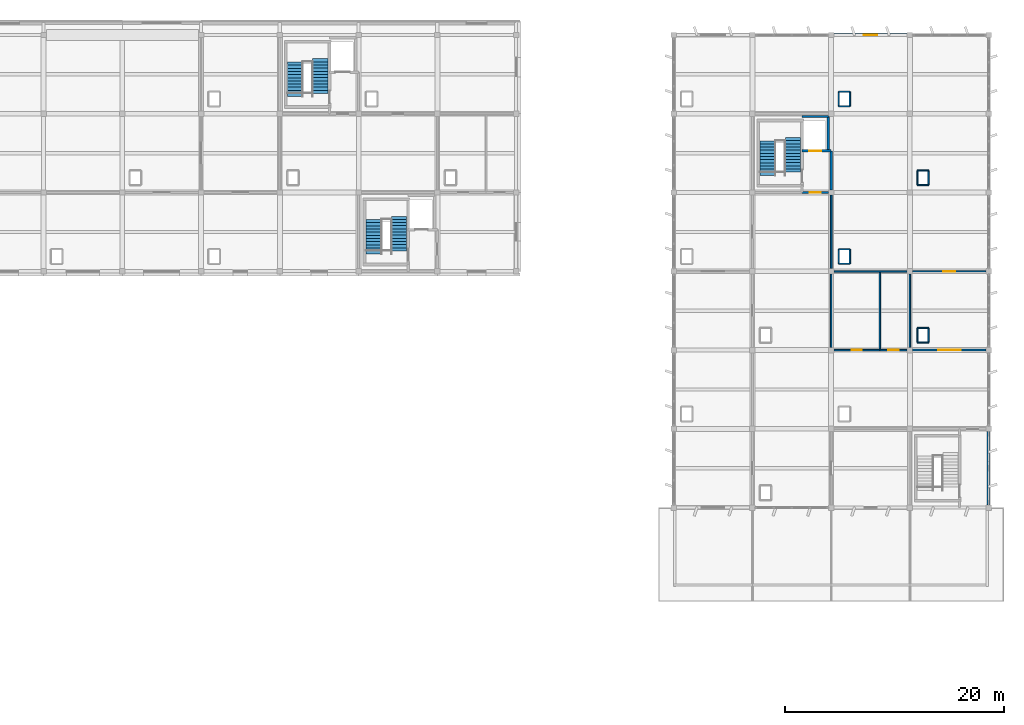
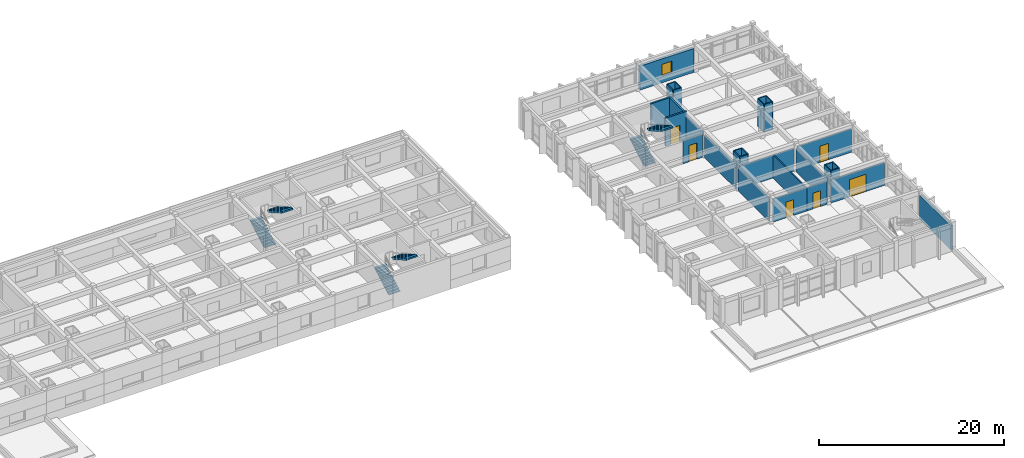
# One storey, part 36 of 40: 32 walls, 6 doors, 6 stair flights, 1 window, 7 openings, 3 elements without a shape of their own.
"""IFC4 building model written with IfcOpenShell, lengths in metres."""

from ifc_helpers import new_model, si_unit, direction, frame, frame_2d, origin, place, context, subcontext, project, spatial, polyline, rectangle, outline, extrude, material, layer, layer_set, type_object, element, fill, aggregate, save


model = new_model("IFC4")

# Units and contexts
model_context = context("Model", 3, precision=1e-05, world=origin(), true_north=direction((0.0, 1.0)))
body_context = subcontext(model_context, "Body", "Model", "MODEL_VIEW")
ifc_project = project(units=[si_unit("LENGTHUNIT", "METRE"), si_unit("AREAUNIT", "SQUARE_METRE"), si_unit("VOLUMEUNIT", "CUBIC_METRE"), si_unit("PLANEANGLEUNIT", "RADIAN"), si_unit("MASSUNIT", "GRAM", prefix="KILO")], contexts=[model_context])

# Site, building, storey
site_placement = place(None, origin())
site = spatial("IfcSite", under=ifc_project, at=site_placement, CompositionType="ELEMENT")
building_placement = place(site_placement, origin())
building = spatial("IfcBuilding", under=site, at=building_placement, Name="Kavelor Marine Aquarium", CompositionType="ELEMENT")
storey_placement = place(building_placement, frame((0.0, 0.0, 17.639892578125)))
storey = spatial("IfcBuildingStorey", under=building, at=storey_placement, Name="L04", CompositionType="ELEMENT", Elevation=17.639892578125)

# Wall, opening, window
ifc_material_1 = material(Name="Concrete C45/55", Category="concrete")
ifc_layer_1 = layer(ifc_material_1, 0.320068359375)
ifc_layer_set_1 = layer_set([ifc_layer_1], Name="WL-EX2")
wall_type_1 = type_object("IfcWallType", Name="WL-EX2", PredefinedType="STANDARD", material=ifc_layer_set_1)
wall_1_placement = place(storey_placement, frame((133.044921875, 110.800048828125, 0.0), z_axis=(0.0, 0.0, 1.0), x_axis=(1.0, 0.0, 0.0)))
wall_1 = element("IfcWall", 1, at=wall_1_placement, inside=storey, type_object=wall_type_1, Name="ew:x:L04:18_15", PredefinedType="STANDARD", context=body_context, shape_type="SweptSolid", body=[
    extrude(rectangle(XDim=6.7099609375, YDim=0.320068359375, at=frame_2d((3.35498046875, 0.0))), origin(), (0.0, 0.0, 1.0), 3.16015625),
])
opening_1_placement = place(wall_1_placement, frame((2.7548828125, 0.0, 0.949951171875)))
opening_1 = element("IfcOpeningElement", 2, at=opening_1_placement, cuts=wall_1, Name="Opening W02", PredefinedType="OPENING", context=body_context, shape_type="SweptSolid", body=[
    extrude(rectangle(XDim=1.199951171875, YDim=1.5, at=frame_2d((0.60009765625, 0.75))), frame((0.0, 0.169921875, 0.0), z_axis=(0.0, -1.0, 0.0), x_axis=(1.0, 0.0, 0.0)), (0.0, 0.0, 1.0), 0.340068),
])
ifc_material_2 = material(Name="Anodised Aluminium Frame with Low-E Double Glazing", Category="aluminium")
window_type = type_object("IfcWindowType", Name="WIN-W02", PartitioningType="SINGLE_PANEL", PredefinedType="WINDOW", material=ifc_material_2)
window_placement = place(opening_1_placement, origin())
window = element("IfcWindow", 3, at=window_placement, inside=storey, type_object=window_type, Name="win:x:L04:18_15", OverallHeight=1.5, OverallWidth=1.199951171875, PartitioningType="SINGLE_PANEL", PredefinedType="WINDOW", context=body_context, shape_type="SweptSolid", body=[
    extrude(rectangle(XDim=1.199951171875, YDim=1.5, at=frame_2d((0.60009765625, 0.75))), frame((0.0, 0.030029296875, 0.0), z_axis=(0.0, -1.0, 0.0), x_axis=(1.0, 0.0, 0.0)), (0.0, 0.0, 1.0), 0.06005859375),
])
fill(opening_1, window)

# Walls
ifc_material_3 = material(Name="Concrete C40/50", Category="concrete")
ifc_layer_2 = layer(ifc_material_3, 0.280029296875)
ifc_layer_set_2 = layer_set([ifc_layer_2], Name="WL-EX4")
wall_type_2 = type_object("IfcWallType", Name="WL-EX4", PredefinedType="STANDARD", material=ifc_layer_set_2)
wall_2_placement = place(storey_placement, frame((147.199951171875, 74.554931640625, 0.0), z_axis=(0.0, 0.0, 1.0), x_axis=(0.0, -1.0, 0.0)))
element("IfcWall", 4, at=wall_2_placement, inside=storey, type_object=wall_type_2, Name="ew:y:L04:20_09", PredefinedType="STANDARD", context=body_context, shape_type="SweptSolid", body=[
    extrude(rectangle(XDim=6.7099609375, YDim=0.280029296875, at=frame_2d((3.35498046875, 0.0))), origin(), (0.0, 0.0, 1.0), 3.14013671875),
])
ifc_material_4 = material(Name="Concrete Blockwork Partition", Category="masonry")
ifc_layer_3 = layer(ifc_material_4, 0.199951171875)
ifc_layer_set_3 = layer_set([ifc_layer_3], Name="WL-PT1")
wall_type_3 = type_object("IfcWallType", Name="WL-PT1", PredefinedType="PARTITIONING", material=ifc_layer_set_3)
wall_3_placement = place(storey_placement, frame((132.800048828125, 96.64990234375, 0.0), z_axis=(0.0, 0.0, 1.0), x_axis=(0.0, 1.0, 0.0)))
element("IfcWall", 5, at=wall_3_placement, inside=storey, type_object=wall_type_3, Name="pt:lob:C10:L04:e", PredefinedType="PARTITIONING", context=body_context, shape_type="SweptSolid", body=[
    extrude(rectangle(XDim=3.550048828125, YDim=0.199951171875, at=frame_2d((1.77490234375, 0.0))), origin(), (0.0, 0.0, 1.0), 3.070068359375),
])

# Wall, opening, door
wall_4_placement = place(storey_placement, frame((130.139892578125, 96.39990234375, 0.0), z_axis=(0.0, 0.0, 1.0), x_axis=(1.0, 0.0, 0.0)))
wall_4 = element("IfcWall", 6, at=wall_4_placement, inside=storey, type_object=wall_type_3, Name="pt:lob:C10:L04:s", PredefinedType="PARTITIONING", context=body_context, shape_type="SweptSolid", body=[
    extrude(rectangle(XDim=2.41015625, YDim=0.199951171875, at=frame_2d((1.205078125, 0.0))), origin(), (0.0, 0.0, 1.0), 3.0400390625),
])
opening_2_placement = place(wall_4_placement, frame((0.695068359375, 0.0, 0.0)))
opening_2 = element("IfcOpeningElement", 7, at=opening_2_placement, cuts=wall_4, Name="Opening SD1", PredefinedType="OPENING", context=body_context, shape_type="SweptSolid", body=[
    extrude(rectangle(XDim=1.02001953125, YDim=2.14990234375, at=frame_2d((0.510009765625, 1.074951171875))), frame((0.0, 0.10986328125, 0.0), z_axis=(0.0, -1.0, 0.0), x_axis=(1.0, 0.0, 0.0)), (0.0, 0.0, 1.0), 0.219951),
])
ifc_material_5 = material(Name="Fire-Rated Corridor Compartment Door")
door_type_1 = type_object("IfcDoorType", Name="DR-SD1", OperationType="NOTDEFINED", PredefinedType="DOOR", material=ifc_material_5)
door_1_placement = place(opening_2_placement, origin())
door_1 = element("IfcDoor", 8, at=door_1_placement, inside=storey, type_object=door_type_1, Name="Core Lobby Fire Door C10-L04", OperationType="SINGLE_SWING_RIGHT", OverallHeight=2.14990234375, OverallWidth=1.02001953125, PredefinedType="DOOR", context=body_context, shape_type="SweptSolid", body=[
    extrude(rectangle(XDim=1.02001953125, YDim=2.14990234375, at=frame_2d((0.510009765625, 1.074951171875))), frame((0.0, 0.02490234375, 0.0), z_axis=(0.0, -1.0, 0.0), x_axis=(1.0, 0.0, 0.0)), (0.0, 0.0, 1.0), 0.050048828125),
])
fill(opening_2, door_1)

# Wall
ifc_material_6 = material(Name="Acoustic Gypsum Stud Partition")
ifc_layer_4 = layer(ifc_material_6, 0.159912109375)
ifc_layer_set_4 = layer_set([ifc_layer_4], Name="WL-PT2")
wall_type_4 = type_object("IfcWallType", Name="WL-PT2", PredefinedType="PARTITIONING", material=ifc_layer_set_4)
wall_5_placement = place(storey_placement, frame((132.800048828125, 89.449951171875, 0.0), z_axis=(0.0, 0.0, 1.0), x_axis=(0.0, 1.0, 0.0)))
element("IfcWall", 9, at=wall_5_placement, inside=storey, type_object=wall_type_4, Name="pt:y:L04:17_12", PredefinedType="PARTITIONING", context=body_context, shape_type="SweptSolid", body=[
    extrude(rectangle(XDim=6.699951171875, YDim=0.159912109375, at=frame_2d((3.35009765625, 0.0))), origin(), (0.0, 0.0, 1.0), 3.02001953125),
])

# Wall, opening, door
wall_6_placement = place(storey_placement, frame((140.25, 82.0, 0.0), z_axis=(0.0, 0.0, 1.0), x_axis=(1.0, 0.0, 0.0)))
wall_6 = element("IfcWall", 10, at=wall_6_placement, inside=storey, type_object=wall_type_4, Name="pt:x:L04:19_10", PredefinedType="PARTITIONING", context=body_context, shape_type="SweptSolid", body=[
    extrude(rectangle(XDim=6.699951171875, YDim=0.159912109375, at=frame_2d((3.35009765625, 0.0))), origin(), (0.0, 0.0, 1.0), 3.0400390625),
])
opening_3_placement = place(wall_6_placement, frame((2.320068359375, 0.0, 0.0)))
opening_3 = element("IfcOpeningElement", 11, at=opening_3_placement, cuts=wall_6, Name="Opening D14", PredefinedType="OPENING", context=body_context, shape_type="SweptSolid", body=[
    extrude(rectangle(XDim=2.06005859375, YDim=2.280029296875, at=frame_2d((1.030029296875, 1.14013671875))), frame((0.0, 0.08984375, 0.0), z_axis=(0.0, -1.0, 0.0), x_axis=(1.0, 0.0, 0.0)), (0.0, 0.0, 1.0), 0.179912),
])
ifc_material_7 = material(Name="LSS Filtration Equipment Double Door")
door_type_2 = type_object("IfcDoorType", Name="DR-D14", OperationType="NOTDEFINED", PredefinedType="DOOR", material=ifc_material_7)
door_2_placement = place(opening_3_placement, origin())
door_2 = element("IfcDoor", 12, at=door_2_placement, inside=storey, type_object=door_type_2, Name="dr:rm:pt:x:L04:19_10:0", OperationType="DOUBLE_DOOR_SINGLE_SWING", OverallHeight=2.280029296875, OverallWidth=2.06005859375, PredefinedType="DOOR", context=body_context, shape_type="SweptSolid", body=[
    extrude(rectangle(XDim=2.06005859375, YDim=2.280029296875, at=frame_2d((1.030029296875, 1.14013671875))), frame((0.0, 0.02490234375, 0.0), z_axis=(0.0, -1.0, 0.0), x_axis=(1.0, 0.0, 0.0)), (0.0, 0.0, 1.0), 0.050048828125),
])
fill(opening_3, door_2)

wall_7_placement = place(storey_placement, frame((140.25, 89.199951171875, 0.0), z_axis=(0.0, 0.0, 1.0), x_axis=(1.0, 0.0, 0.0)))
wall_7 = element("IfcWall", 13, at=wall_7_placement, inside=storey, type_object=wall_type_4, Name="pt:x:L04:19_11", PredefinedType="PARTITIONING", context=body_context, shape_type="SweptSolid", body=[
    extrude(rectangle(XDim=6.699951171875, YDim=0.159912109375, at=frame_2d((3.35009765625, 0.0))), origin(), (0.0, 0.0, 1.0), 3.090087890625),
])
opening_4_placement = place(wall_7_placement, frame((2.81005859375, 0.0, 0.0)))
opening_4 = element("IfcOpeningElement", 14, at=opening_4_placement, cuts=wall_7, Name="Opening D08", PredefinedType="OPENING", context=body_context, shape_type="SweptSolid", body=[
    extrude(rectangle(XDim=1.080078125, YDim=2.159912109375, at=frame_2d((0.5400390625, 1.080078125))), frame((0.0, 0.08984375, 0.0), z_axis=(0.0, -1.0, 0.0), x_axis=(1.0, 0.0, 0.0)), (0.0, 0.0, 1.0), 0.179912),
])
ifc_material_8 = material(Name="Discovery Wet Lab Vision Door")
door_type_3 = type_object("IfcDoorType", Name="DR-D08", OperationType="NOTDEFINED", PredefinedType="DOOR", material=ifc_material_8)
door_3_placement = place(opening_4_placement, origin())
door_3 = element("IfcDoor", 15, at=door_3_placement, inside=storey, type_object=door_type_3, Name="dr:rm:pt:x:L04:19_11:0", OperationType="SINGLE_SWING_RIGHT", OverallHeight=2.159912109375, OverallWidth=1.080078125, PredefinedType="DOOR", context=body_context, shape_type="SweptSolid", body=[
    extrude(rectangle(XDim=1.080078125, YDim=2.159912109375, at=frame_2d((0.5400390625, 1.080078125))), frame((0.0, 0.02490234375, 0.0), z_axis=(0.0, -1.0, 0.0), x_axis=(1.0, 0.0, 0.0)), (0.0, 0.0, 1.0), 0.050048828125),
])
fill(opening_4, door_3)

# Wall
ifc_material_9 = material(Name="Moisture-Resistant Marine Partition")
ifc_layer_5 = layer(ifc_material_9, 0.139892578125)
ifc_layer_set_5 = layer_set([ifc_layer_5], Name="WL-PT3")
wall_type_5 = type_object("IfcWallType", Name="WL-PT3", PredefinedType="PARTITIONING", material=ifc_layer_set_5)
wall_8_placement = place(storey_placement, frame((137.25, 82.0, 0.0), z_axis=(0.0, 0.0, 1.0), x_axis=(0.0, 1.0, 0.0)))
element("IfcWall", 16, at=wall_8_placement, inside=storey, type_object=wall_type_5, Name="pt:san:div:L04:18_11", PredefinedType="PARTITIONING", context=body_context, shape_type="SweptSolid", body=[
    extrude(rectangle(XDim=7.199951171875, YDim=0.139892578125, at=frame_2d((3.60009765625, 0.0))), origin(), (0.0, 0.0, 1.0), 3.10009765625),
])

# Wall, opening, door
wall_9_placement = place(storey_placement, frame((133.050048828125, 82.0, 0.0), z_axis=(0.0, 0.0, 1.0), x_axis=(1.0, 0.0, 0.0)))
wall_9 = element("IfcWall", 17, at=wall_9_placement, inside=storey, type_object=wall_type_5, Name="pt:san:f1:L04:18_11", PredefinedType="PARTITIONING", context=body_context, shape_type="SweptSolid", body=[
    extrude(rectangle(XDim=4.199951171875, YDim=0.139892578125, at=frame_2d((2.10009765625, 0.0))), origin(), (0.0, 0.0, 1.0), 3.070068359375),
])
opening_5_placement = place(wall_9_placement, frame((1.639892578125, 0.0, 0.0)))
opening_5 = element("IfcOpeningElement", 18, at=opening_5_placement, cuts=wall_9, Name="Opening D02", PredefinedType="OPENING", context=body_context, shape_type="SweptSolid", body=[
    extrude(rectangle(XDim=0.919921875, YDim=2.080078125, at=frame_2d((0.4599609375, 1.0400390625))), frame((0.0, 0.079833984375, 0.0), z_axis=(0.0, -1.0, 0.0), x_axis=(1.0, 0.0, 0.0)), (0.0, 0.0, 1.0), 0.159893),
])
ifc_material_10 = material(Name="Moisture-Resistant Laminate Sanitary Door")
door_type_4 = type_object("IfcDoorType", Name="DR-D02", OperationType="NOTDEFINED", PredefinedType="DOOR", material=ifc_material_10)
door_4_placement = place(opening_5_placement, origin())
door_4 = element("IfcDoor", 19, at=door_4_placement, inside=storey, type_object=door_type_4, Name="dr:wc:L04:18_11", OperationType="SINGLE_SWING_RIGHT", OverallHeight=2.080078125, OverallWidth=0.919921875, PredefinedType="DOOR", context=body_context, shape_type="SweptSolid", body=[
    extrude(rectangle(XDim=0.919921875, YDim=2.080078125, at=frame_2d((0.4599609375, 1.0400390625))), frame((0.0, 0.02490234375, 0.0), z_axis=(0.0, -1.0, 0.0), x_axis=(1.0, 0.0, 0.0)), (0.0, 0.0, 1.0), 0.050048828125),
])
fill(opening_5, door_4)

wall_10_placement = place(storey_placement, frame((137.25, 82.0, 0.0), z_axis=(0.0, 0.0, 1.0), x_axis=(1.0, 0.0, 0.0)))
wall_10 = element("IfcWall", 20, at=wall_10_placement, inside=storey, type_object=wall_type_5, Name="pt:san:f2:L04:18_11", PredefinedType="PARTITIONING", context=body_context, shape_type="SweptSolid", body=[
    extrude(rectangle(XDim=2.5, YDim=0.139892578125, at=frame_2d((1.25, 0.0))), origin(), (0.0, 0.0, 1.0), 3.070068359375),
])
opening_6_placement = place(wall_10_placement, frame((0.7900390625, 0.0, 0.0)))
opening_6 = element("IfcOpeningElement", 21, at=opening_6_placement, cuts=wall_10, Name="Opening D02", PredefinedType="OPENING", context=body_context, shape_type="SweptSolid", body=[
    extrude(rectangle(XDim=0.919921875, YDim=2.080078125, at=frame_2d((0.4599609375, 1.0400390625))), frame((0.0, 0.079833984375, 0.0), z_axis=(0.0, -1.0, 0.0), x_axis=(1.0, 0.0, 0.0)), (0.0, 0.0, 1.0), 0.159893),
])
door_5_placement = place(opening_6_placement, origin())
door_5 = element("IfcDoor", 22, at=door_5_placement, inside=storey, type_object=door_type_4, Name="dr:awc:L04:18_11", OperationType="SINGLE_SWING_LEFT", OverallHeight=2.080078125, OverallWidth=0.919921875, PredefinedType="DOOR", context=body_context, shape_type="SweptSolid", body=[
    extrude(rectangle(XDim=0.919921875, YDim=2.080078125, at=frame_2d((0.4599609375, 1.0400390625))), frame((0.0, 0.02490234375, 0.0), z_axis=(0.0, -1.0, 0.0), x_axis=(1.0, 0.0, 0.0)), (0.0, 0.0, 1.0), 0.050048828125),
])
fill(opening_6, door_5)

# Walls
wall_11_placement = place(storey_placement, frame((133.050048828125, 89.199951171875, 0.0), z_axis=(0.0, 0.0, 1.0), x_axis=(1.0, 0.0, 0.0)))
element("IfcWall", 23, at=wall_11_placement, inside=storey, type_object=wall_type_5, Name="pt:san:enc_n:L04:18_11", PredefinedType="PARTITIONING", context=body_context, shape_type="SweptSolid", body=[
    extrude(rectangle(XDim=6.699951171875, YDim=0.139892578125, at=frame_2d((3.35009765625, 0.0))), origin(), (0.0, 0.0, 1.0), 3.02001953125),
])
for number, where, z_axis, x_axis, name in (
    (24, (132.800048828125, 82.25, 0.0), (0.0, 0.0, 1.0), (0.0, 1.0, 0.0), "pt:san:enc_w:L04:18_11"),
    (25, (140.0, 82.25, 0.0), (0.0, 0.0, 1.0), (0.0, 1.0, 0.0), "pt:san:enc_e:L04:18_11"),
):
    element("IfcWall", number, at=place(storey_placement, frame(where, z_axis=z_axis, x_axis=x_axis)), inside=storey, type_object=wall_type_5, Name=name, PredefinedType="PARTITIONING", context=body_context, shape_type="SweptSolid", body=[
        extrude(rectangle(XDim=6.699951171875, YDim=0.139892578125, at=frame_2d((3.35009765625, 0.0))), origin(), (0.0, 0.0, 1.0), 3.070068359375),
    ])
ifc_material_11 = material(Name="Lightweight Drywall Partition")
ifc_layer_6 = layer(ifc_material_11, 0.1201171875)
ifc_layer_set_6 = layer_set([ifc_layer_6], Name="WL-PT4")
wall_type_6 = type_object("IfcWallType", Name="WL-PT4", PredefinedType="PARTITIONING", material=ifc_layer_set_6)
for number, where, z_axis, x_axis, name in (
    (26, (133.489990234375, 89.889892578125, 0.0), (0.0, 0.0, 1.0), (1.0, 0.0, 0.0), "riser:s:L04:18_12"),
    (27, (133.489990234375, 91.2099609375, 0.0), (0.0, 0.0, 1.0), (1.0, 0.0, 0.0), "riser:n:L04:18_12"),
):
    element("IfcWall", number, at=place(storey_placement, frame(where, z_axis=z_axis, x_axis=x_axis)), inside=storey, type_object=wall_type_6, Name=name, PredefinedType="PARTITIONING", context=body_context, shape_type="SweptSolid", body=[
        extrude(rectangle(XDim=1.02001953125, YDim=0.1201171875, at=frame_2d((0.510009765625, 0.0))), origin(), (0.0, 0.0, 1.0), 3.66015625),
    ])
for number, where, z_axis, x_axis, name in (
    (28, (133.489990234375, 89.889892578125, 0.0), (0.0, 0.0, 1.0), (0.0, 1.0, 0.0), "riser:w:L04:18_12"),
    (29, (134.510009765625, 89.889892578125, 0.0), (0.0, 0.0, 1.0), (0.0, 1.0, 0.0), "riser:e:L04:18_12"),
):
    element("IfcWall", number, at=place(storey_placement, frame(where, z_axis=z_axis, x_axis=x_axis)), inside=storey, type_object=wall_type_6, Name=name, PredefinedType="PARTITIONING", context=body_context, shape_type="SweptSolid", body=[
        extrude(rectangle(XDim=1.320068359375, YDim=0.1201171875, at=frame_2d((0.66015625, 0.0))), origin(), (0.0, 0.0, 1.0), 3.66015625),
    ])
for number, where, z_axis, x_axis, name in (
    (30, (133.489990234375, 104.2900390625, 0.0), (0.0, 0.0, 1.0), (1.0, 0.0, 0.0), "riser:s:L04:18_14"),
    (31, (133.489990234375, 105.610107421875, 0.0), (0.0, 0.0, 1.0), (1.0, 0.0, 0.0), "riser:n:L04:18_14"),
):
    element("IfcWall", number, at=place(storey_placement, frame(where, z_axis=z_axis, x_axis=x_axis)), inside=storey, type_object=wall_type_6, Name=name, PredefinedType="PARTITIONING", context=body_context, shape_type="SweptSolid", body=[
        extrude(rectangle(XDim=1.02001953125, YDim=0.1201171875, at=frame_2d((0.510009765625, 0.0))), origin(), (0.0, 0.0, 1.0), 3.7001953125),
    ])
for number, where, z_axis, x_axis, name in (
    (32, (133.489990234375, 104.2900390625, 0.0), (0.0, 0.0, 1.0), (0.0, 1.0, 0.0), "riser:w:L04:18_14"),
    (33, (134.510009765625, 104.2900390625, 0.0), (0.0, 0.0, 1.0), (0.0, 1.0, 0.0), "riser:e:L04:18_14"),
):
    element("IfcWall", number, at=place(storey_placement, frame(where, z_axis=z_axis, x_axis=x_axis)), inside=storey, type_object=wall_type_6, Name=name, PredefinedType="PARTITIONING", context=body_context, shape_type="SweptSolid", body=[
        extrude(rectangle(XDim=1.320068359375, YDim=0.1201171875, at=frame_2d((0.66015625, 0.0))), origin(), (0.0, 0.0, 1.0), 3.7001953125),
    ])
for number, where, z_axis, x_axis, name in (
    (34, (140.68994140625, 82.68994140625, 0.0), (0.0, 0.0, 1.0), (1.0, 0.0, 0.0), "riser:s:L04:19_11"),
    (35, (140.68994140625, 84.010009765625, 0.0), (0.0, 0.0, 1.0), (1.0, 0.0, 0.0), "riser:n:L04:19_11"),
):
    element("IfcWall", number, at=place(storey_placement, frame(where, z_axis=z_axis, x_axis=x_axis)), inside=storey, type_object=wall_type_6, Name=name, PredefinedType="PARTITIONING", context=body_context, shape_type="SweptSolid", body=[
        extrude(rectangle(XDim=1.02001953125, YDim=0.1201171875, at=frame_2d((0.510009765625, 0.0))), origin(), (0.0, 0.0, 1.0), 3.68017578125),
    ])
for number, where, z_axis, x_axis, name in (
    (36, (140.68994140625, 82.68994140625, 0.0), (0.0, 0.0, 1.0), (0.0, 1.0, 0.0), "riser:w:L04:19_11"),
    (37, (141.7099609375, 82.68994140625, 0.0), (0.0, 0.0, 1.0), (0.0, 1.0, 0.0), "riser:e:L04:19_11"),
):
    element("IfcWall", number, at=place(storey_placement, frame(where, z_axis=z_axis, x_axis=x_axis)), inside=storey, type_object=wall_type_6, Name=name, PredefinedType="PARTITIONING", context=body_context, shape_type="SweptSolid", body=[
        extrude(rectangle(XDim=1.320068359375, YDim=0.1201171875, at=frame_2d((0.66015625, 0.0))), origin(), (0.0, 0.0, 1.0), 3.68017578125),
    ])
for number, where, z_axis, x_axis, name in (
    (38, (140.68994140625, 97.090087890625, 0.0), (0.0, 0.0, 1.0), (1.0, 0.0, 0.0), "riser:s:L04:19_13"),
    (39, (140.68994140625, 98.409912109375, 0.0), (0.0, 0.0, 1.0), (1.0, 0.0, 0.0), "riser:n:L04:19_13"),
):
    element("IfcWall", number, at=place(storey_placement, frame(where, z_axis=z_axis, x_axis=x_axis)), inside=storey, type_object=wall_type_6, Name=name, PredefinedType="PARTITIONING", context=body_context, shape_type="SweptSolid", body=[
        extrude(rectangle(XDim=1.02001953125, YDim=0.1201171875, at=frame_2d((0.510009765625, 0.0))), origin(), (0.0, 0.0, 1.0), 3.68017578125),
    ])
for number, where, z_axis, x_axis, name in (
    (40, (140.68994140625, 97.090087890625, 0.0), (0.0, 0.0, 1.0), (0.0, 1.0, 0.0), "riser:w:L04:19_13"),
    (41, (141.7099609375, 97.090087890625, 0.0), (0.0, 0.0, 1.0), (0.0, 1.0, 0.0), "riser:e:L04:19_13"),
):
    element("IfcWall", number, at=place(storey_placement, frame(where, z_axis=z_axis, x_axis=x_axis)), inside=storey, type_object=wall_type_6, Name=name, PredefinedType="PARTITIONING", context=body_context, shape_type="SweptSolid", body=[
        extrude(rectangle(XDim=1.31982421875, YDim=0.1201171875, at=frame_2d((0.659912109375, 0.0))), origin(), (0.0, 0.0, 1.0), 3.68017578125),
    ])

# Wall, opening, door
ifc_material_12 = material(Name="Concrete C40/50", Category="concrete")
ifc_layer_7 = layer(ifc_material_12, 0.35009765625)
ifc_layer_set_7 = layer_set([ifc_layer_7], Name="WL-SW2")
wall_type_7 = type_object("IfcWallType", Name="WL-SW2", PredefinedType="SHEAR", material=ifc_layer_set_7)
wall_12_placement = place(storey_placement, frame((130.139892578125, 100.199951171875, 0.0), z_axis=(0.0, 0.0, 1.0), x_axis=(1.0, 0.0, 0.0)))
wall_12 = element("IfcWall", 42, at=wall_12_placement, inside=storey, type_object=wall_type_7, Name="cw_lf:s:C10:L04", PredefinedType="SHEAR", context=body_context, shape_type="SweptSolid", body=[
    extrude(rectangle(XDim=2.66015625, YDim=0.219970703125, at=frame_2d((1.330078125, 0.0))), origin(), (0.0, 0.0, 1.0), 3.7001953125),
])
opening_7_placement = place(wall_12_placement, frame((0.635009765625, 0.0, 0.0)))
opening_7 = element("IfcOpeningElement", 43, at=opening_7_placement, cuts=wall_12, Name="Opening LD1", PredefinedType="OPENING", context=body_context, shape_type="SweptSolid", body=[
    extrude(rectangle(XDim=1.139892578125, YDim=2.14990234375, at=frame_2d((0.56982421875, 1.074951171875))), frame((0.0, 0.119873046875, 0.0), z_axis=(0.0, -1.0, 0.0), x_axis=(1.0, 0.0, 0.0)), (0.0, 0.0, 1.0), 0.239971),
])
ifc_material_13 = material(Name="Stainless Steel Lift Landing Sliding Door", Category="steel")
door_type_5 = type_object("IfcDoorType", Name="DR-LD1", OperationType="NOTDEFINED", PredefinedType="DOOR", material=ifc_material_13)
door_6_placement = place(opening_7_placement, origin())
door_6 = element("IfcDoor", 44, at=door_6_placement, inside=storey, type_object=door_type_5, Name="Lift Landing Sliding Door EL3-L04", OperationType="SLIDING_TO_LEFT", OverallHeight=2.14990234375, OverallWidth=1.139892578125, PredefinedType="DOOR", context=body_context, shape_type="SweptSolid", body=[
    extrude(rectangle(XDim=1.139892578125, YDim=2.14990234375, at=frame_2d((0.56982421875, 1.074951171875))), frame((0.0, 0.02490234375, 0.0), z_axis=(0.0, -1.0, 0.0), x_axis=(1.0, 0.0, 0.0)), (0.0, 0.0, 1.0), 0.050048828125),
])
fill(opening_7, door_6)

# Walls
wall_13_placement = place(storey_placement, frame((130.139892578125, 103.35009765625, 0.0), z_axis=(0.0, 0.0, 1.0), x_axis=(1.0, 0.0, 0.0)))
element("IfcWall", 45, at=wall_13_placement, inside=storey, type_object=wall_type_7, Name="cw_lf:n:C10:L04", PredefinedType="SHEAR", context=body_context, shape_type="SweptSolid", body=[
    extrude(rectangle(XDim=2.41015625, YDim=0.219970703125, at=frame_2d((1.205078125, 0.0))), origin(), (0.0, 0.0, 1.0), 3.7001953125),
])
wall_14_placement = place(storey_placement, frame((132.550048828125, 100.199951171875, 0.0), z_axis=(0.0, 0.0, 1.0), x_axis=(0.0, 1.0, 0.0)))
element("IfcWall", 46, at=wall_14_placement, inside=storey, type_object=wall_type_7, Name="cw_lf:e:C10:L04", PredefinedType="SHEAR", context=body_context, shape_type="SweptSolid", body=[
    extrude(rectangle(XDim=3.150146484375, YDim=0.219970703125, at=frame_2d((1.5751953125, 0.0))), origin(), (0.0, 0.0, 1.0), 3.7001953125),
])

# Stair, stair flights
ifc_material_14 = material(Name="Concrete C40/50", Category="concrete")
stair_type = type_object("IfcStairType", Name="ST-T5", PredefinedType="HALF_TURN_STAIR", material=ifc_material_14)
stair_1_placement = place(storey_placement, origin())
stair_1 = element("IfcStair", 47, at=stair_1_placement, inside=storey, type_object=stair_type, Name="Exit Stair ST06 (L04)", PredefinedType="HALF_TURN_STAIR")
ifc_material_15 = material(Name="Concrete C40/50", Category="concrete")
stair_flight_type = type_object("IfcStairFlightType", Name="FLT-T5", PredefinedType="STRAIGHT", material=ifc_material_15)
stair_flight_1_placement = place(storey_placement, frame((83.780029296875, 105.159912109375, 0.0), z_axis=(0.0, 0.0, 1.0), x_axis=(0.0, 1.0, 0.0)))
stair_flight_1 = element("IfcStairFlight", 48, at=stair_flight_1_placement, type_object=stair_flight_type, Name="ST06 flight 1", NumberOfRisers=12, NumberOfTreads=11, PredefinedType="STRAIGHT", RiserHeight=0.165, TreadLength=0.288, context=body_context, shape_type="SweptSolid", body=[
    extrude(outline(polyline([(0.0, 0.0), (0.0, 0.1650390625), (0.2880859375, 0.1650390625), (0.2880859375, 0.330078125), (0.575927734375, 0.330078125), (0.575927734375, 0.4951171875), (0.864013671875, 0.4951171875), (0.864013671875, 0.659912109375), (1.152099609375, 0.659912109375), (1.152099609375, 0.824951171875), (1.43994140625, 0.824951171875), (1.43994140625, 0.989990234375), (1.72802734375, 0.989990234375), (1.72802734375, 1.155029296875), (2.01611328125, 1.155029296875), (2.01611328125, 1.320068359375), (2.303955078125, 1.320068359375), (2.303955078125, 1.485107421875), (2.592041015625, 1.485107421875), (2.592041015625, 1.64990234375), (2.8798828125, 1.64990234375), (2.8798828125, 1.81494140625), (3.16796875, 1.81494140625), (3.16796875, 1.97998046875), (3.16796875, 1.607666015625), (0.362060546875, 0.0), (0.0, 0.0)])), frame((0.0, 0.68994140625, 0.0), z_axis=(0.0, -1.0, 0.0), x_axis=(1.0, 0.0, 0.0)), (0.0, 0.0, 1.0), 1.3798828125),
])
stair_flight_2_placement = place(storey_placement, frame((86.10009765625, 108.6279296875, 1.980224609375), z_axis=(0.0, 0.0, 1.0), x_axis=(0.0, -1.0, 0.0)))
stair_flight_2 = element("IfcStairFlight", 49, at=stair_flight_2_placement, type_object=stair_flight_type, Name="ST06 flight 2", NumberOfRisers=12, NumberOfTreads=11, PredefinedType="STRAIGHT", RiserHeight=0.165, TreadLength=0.288, context=body_context, shape_type="SweptSolid", body=[
    extrude(outline(polyline([(0.0, 0.0), (0.0, 0.1650390625), (0.2880859375, 0.1650390625), (0.2880859375, 0.330078125), (0.575927734375, 0.330078125), (0.575927734375, 0.4951171875), (0.864013671875, 0.4951171875), (0.864013671875, 0.659912109375), (1.152099609375, 0.659912109375), (1.152099609375, 0.824951171875), (1.43994140625, 0.824951171875), (1.43994140625, 0.989990234375), (1.72802734375, 0.989990234375), (1.72802734375, 1.155029296875), (2.01611328125, 1.155029296875), (2.01611328125, 1.320068359375), (2.303955078125, 1.320068359375), (2.303955078125, 1.485107421875), (2.592041015625, 1.485107421875), (2.592041015625, 1.64990234375), (2.8798828125, 1.64990234375), (2.8798828125, 1.81494140625), (3.16796875, 1.81494140625), (3.16796875, 1.97998046875), (3.16796875, 1.607666015625), (0.362060546875, 0.0), (0.0, 0.0)])), frame((0.0, 0.68994140625, 0.0), z_axis=(0.0, -1.0, 0.0), x_axis=(1.0, 0.0, 0.0)), (0.0, 0.0, 1.0), 1.3798828125),
])
aggregate(stair_1, [stair_flight_1, stair_flight_2])

stair_2_placement = place(storey_placement, origin())
stair_2 = element("IfcStair", 50, at=stair_2_placement, inside=storey, type_object=stair_type, Name="Exit Stair ST07 (L04)", PredefinedType="HALF_TURN_STAIR")
stair_flight_3_placement = place(storey_placement, frame((90.97998046875, 90.760009765625, 0.0), z_axis=(0.0, 0.0, 1.0), x_axis=(0.0, 1.0, 0.0)))
stair_flight_3 = element("IfcStairFlight", 51, at=stair_flight_3_placement, type_object=stair_flight_type, Name="ST07 flight 1", NumberOfRisers=12, NumberOfTreads=11, PredefinedType="STRAIGHT", RiserHeight=0.165, TreadLength=0.288, context=body_context, shape_type="SweptSolid", body=[
    extrude(outline(polyline([(0.0, 0.0), (0.0, 0.1650390625), (0.2880859375, 0.1650390625), (0.2880859375, 0.330078125), (0.575927734375, 0.330078125), (0.575927734375, 0.4951171875), (0.864013671875, 0.4951171875), (0.864013671875, 0.659912109375), (1.152099609375, 0.659912109375), (1.152099609375, 0.824951171875), (1.43994140625, 0.824951171875), (1.43994140625, 0.989990234375), (1.72802734375, 0.989990234375), (1.72802734375, 1.155029296875), (2.01611328125, 1.155029296875), (2.01611328125, 1.320068359375), (2.303955078125, 1.320068359375), (2.303955078125, 1.485107421875), (2.592041015625, 1.485107421875), (2.592041015625, 1.64990234375), (2.8798828125, 1.64990234375), (2.8798828125, 1.81494140625), (3.16796875, 1.81494140625), (3.16796875, 1.97998046875), (3.16796875, 1.607666015625), (0.362060546875, 0.0), (0.0, 0.0)])), frame((0.0, 0.68994140625, 0.0), z_axis=(0.0, -1.0, 0.0), x_axis=(1.0, 0.0, 0.0)), (0.0, 0.0, 1.0), 1.3798828125),
])
stair_flight_4_placement = place(storey_placement, frame((93.300048828125, 94.22802734375, 1.980224609375), z_axis=(0.0, 0.0, 1.0), x_axis=(0.0, -1.0, 0.0)))
stair_flight_4 = element("IfcStairFlight", 52, at=stair_flight_4_placement, type_object=stair_flight_type, Name="ST07 flight 2", NumberOfRisers=12, NumberOfTreads=11, PredefinedType="STRAIGHT", RiserHeight=0.165, TreadLength=0.288, context=body_context, shape_type="SweptSolid", body=[
    extrude(outline(polyline([(0.0, 0.0), (0.0, 0.1650390625), (0.2880859375, 0.1650390625), (0.2880859375, 0.330078125), (0.575927734375, 0.330078125), (0.575927734375, 0.4951171875), (0.864013671875, 0.4951171875), (0.864013671875, 0.659912109375), (1.152099609375, 0.659912109375), (1.152099609375, 0.824951171875), (1.43994140625, 0.824951171875), (1.43994140625, 0.989990234375), (1.72802734375, 0.989990234375), (1.72802734375, 1.155029296875), (2.01611328125, 1.155029296875), (2.01611328125, 1.320068359375), (2.303955078125, 1.320068359375), (2.303955078125, 1.485107421875), (2.592041015625, 1.485107421875), (2.592041015625, 1.64990234375), (2.8798828125, 1.64990234375), (2.8798828125, 1.81494140625), (3.16796875, 1.81494140625), (3.16796875, 1.97998046875), (3.16796875, 1.607666015625), (0.362060546875, 0.0), (0.0, 0.0)])), frame((0.0, 0.68994140625, 0.0), z_axis=(0.0, -1.0, 0.0), x_axis=(1.0, 0.0, 0.0)), (0.0, 0.0, 1.0), 1.3798828125),
])
aggregate(stair_2, [stair_flight_3, stair_flight_4])

stair_3_placement = place(storey_placement, origin())
stair_3 = element("IfcStair", 53, at=stair_3_placement, inside=storey, type_object=stair_type, Name="Exit Stair ST10 (L04)", PredefinedType="HALF_TURN_STAIR")
stair_flight_5_placement = place(storey_placement, frame((126.97998046875, 97.9599609375, 0.0), z_axis=(0.0, 0.0, 1.0), x_axis=(0.0, 1.0, 0.0)))
stair_flight_5 = element("IfcStairFlight", 54, at=stair_flight_5_placement, type_object=stair_flight_type, Name="ST10 flight 1", NumberOfRisers=12, NumberOfTreads=11, PredefinedType="STRAIGHT", RiserHeight=0.165, TreadLength=0.288, context=body_context, shape_type="SweptSolid", body=[
    extrude(outline(polyline([(0.0, 0.0), (0.0, 0.1650390625), (0.2880859375, 0.1650390625), (0.2880859375, 0.330078125), (0.575927734375, 0.330078125), (0.575927734375, 0.4951171875), (0.864013671875, 0.4951171875), (0.864013671875, 0.659912109375), (1.152099609375, 0.659912109375), (1.152099609375, 0.824951171875), (1.43994140625, 0.824951171875), (1.43994140625, 0.989990234375), (1.72802734375, 0.989990234375), (1.72802734375, 1.155029296875), (2.01611328125, 1.155029296875), (2.01611328125, 1.320068359375), (2.303955078125, 1.320068359375), (2.303955078125, 1.485107421875), (2.592041015625, 1.485107421875), (2.592041015625, 1.64990234375), (2.8798828125, 1.64990234375), (2.8798828125, 1.81494140625), (3.16796875, 1.81494140625), (3.16796875, 1.97998046875), (3.16796875, 1.607666015625), (0.362060546875, 0.0), (0.0, 0.0)])), frame((0.0, 0.68994140625, 0.0), z_axis=(0.0, -1.0, 0.0), x_axis=(1.0, 0.0, 0.0)), (0.0, 0.0, 1.0), 1.3798828125),
])
stair_flight_6_placement = place(storey_placement, frame((129.300048828125, 101.427978515625, 1.980224609375), z_axis=(0.0, 0.0, 1.0), x_axis=(0.0, -1.0, 0.0)))
stair_flight_6 = element("IfcStairFlight", 55, at=stair_flight_6_placement, type_object=stair_flight_type, Name="ST10 flight 2", NumberOfRisers=12, NumberOfTreads=11, PredefinedType="STRAIGHT", RiserHeight=0.165, TreadLength=0.288, context=body_context, shape_type="SweptSolid", body=[
    extrude(outline(polyline([(0.0, 0.0), (0.0, 0.1650390625), (0.2880859375, 0.1650390625), (0.2880859375, 0.330078125), (0.575927734375, 0.330078125), (0.575927734375, 0.4951171875), (0.864013671875, 0.4951171875), (0.864013671875, 0.659912109375), (1.152099609375, 0.659912109375), (1.152099609375, 0.824951171875), (1.43994140625, 0.824951171875), (1.43994140625, 0.989990234375), (1.72802734375, 0.989990234375), (1.72802734375, 1.155029296875), (2.01611328125, 1.155029296875), (2.01611328125, 1.320068359375), (2.303955078125, 1.320068359375), (2.303955078125, 1.485107421875), (2.592041015625, 1.485107421875), (2.592041015625, 1.64990234375), (2.8798828125, 1.64990234375), (2.8798828125, 1.81494140625), (3.16796875, 1.81494140625), (3.16796875, 1.97998046875), (3.16796875, 1.607666015625), (0.362060546875, 0.0), (0.0, 0.0)])), frame((0.0, 0.68994140625, 0.0), z_axis=(0.0, -1.0, 0.0), x_axis=(1.0, 0.0, 0.0)), (0.0, 0.0, 1.0), 1.3798828125),
])
aggregate(stair_3, [stair_flight_5, stair_flight_6])

save(model, "model.ifc")
